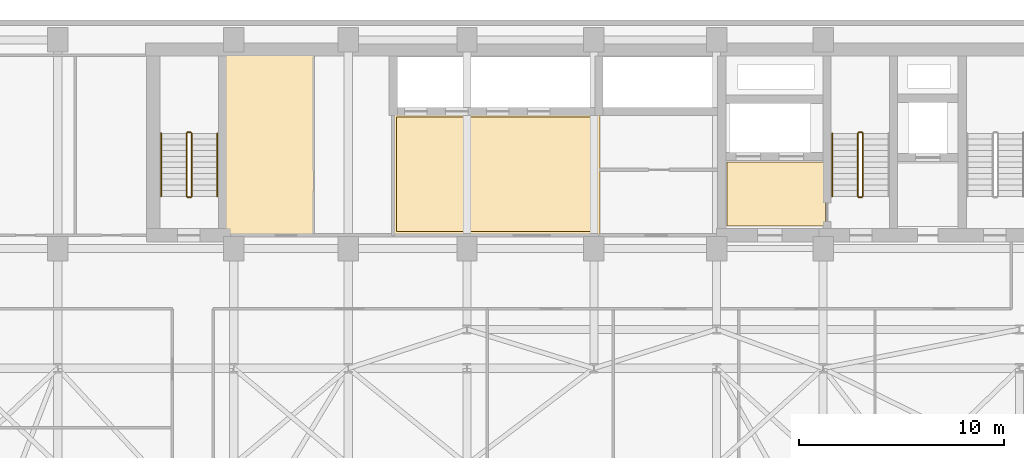
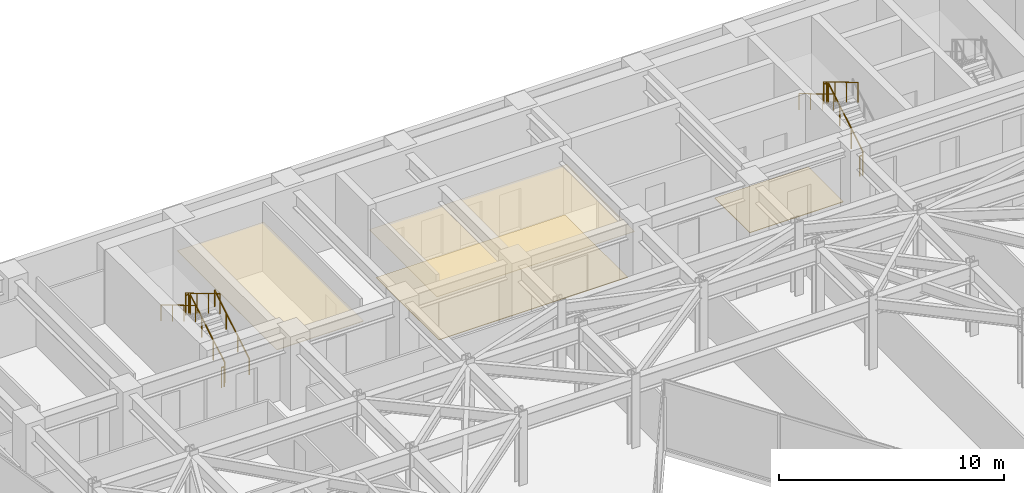
# One storey, part 25 of 26: 11 railings, 4 coverings.
"""IFC4 building model written with IfcOpenShell, lengths in metres."""

from ifc_helpers import new_model, si_unit, direction, frame, origin, origin_2d, place, context, subcontext, project, spatial, polyline, circle, outline, extrude, material, layer, layer_set, type_object, element, save


model = new_model("IFC4")

# Units and contexts
model_context = context("Model", 3, precision=1e-05, world=origin(), true_north=direction((0.0, 1.0)))
body_context = subcontext(model_context, "Body", "Model", "MODEL_VIEW")
ifc_project = project(units=[si_unit("LENGTHUNIT", "METRE"), si_unit("AREAUNIT", "SQUARE_METRE"), si_unit("VOLUMEUNIT", "CUBIC_METRE"), si_unit("PLANEANGLEUNIT", "RADIAN"), si_unit("MASSUNIT", "GRAM", prefix="KILO")], contexts=[model_context])

# Site, building, storey
site_placement = place(None, origin())
site = spatial("IfcSite", under=ifc_project, at=site_placement, CompositionType="ELEMENT")
building_placement = place(site_placement, origin())
building = spatial("IfcBuilding", under=site, at=building_placement, Name="Kravanh Interchange Tower", CompositionType="ELEMENT")
storey_placement = place(building_placement, frame((0.0, 0.0, 140.0)))
storey = spatial("IfcBuildingStorey", under=building, at=storey_placement, Name="L33", CompositionType="ELEMENT", Elevation=140.0)

# Coverings
ifc_material_1 = material(Name="Cementitious Terrazzo Tile")
ifc_layer_1 = layer(ifc_material_1, 0.030029296875)
ifc_layer_set_1 = layer_set([ifc_layer_1], Name="Honed Terrazzo Lobby Flooring 30mm")
covering_type_1 = type_object("IfcCoveringType", Name="Honed Terrazzo Lobby Flooring 30mm", PredefinedType="FLOORING", material=ifc_layer_set_1)
covering_1_placement = place(storey_placement, origin())
element("IfcCovering", 1, at=covering_1_placement, inside=storey, type_object=covering_type_1, Name="L33 Firefighting Lobby Floor Finish", PredefinedType="FLOORING", context=body_context, shape_type="SweptSolid", body=[
    extrude(outline(polyline([(56.1201171875, 38.4599609375), (51.300048828125, 38.4599609375), (51.300048828125, 41.580078125), (56.1201171875, 41.580078125), (56.1201171875, 38.4599609375)])), origin(), (0.0, 0.0, 1.0), 0.030029296875),
])
covering_2_placement = place(storey_placement, origin())
element("IfcCovering", 2, at=covering_2_placement, inside=storey, type_object=covering_type_1, Name="L33 Mid-Rise Lift Lobby Floor Finish", PredefinedType="FLOORING", context=body_context, shape_type="SweptSolid", body=[
    extrude(outline(polyline([(35.159912109375, 43.77001953125), (44.8701171875, 43.77001953125), (44.8701171875, 38.179931640625), (35.159912109375, 38.179931640625), (35.159912109375, 43.77001953125)])), origin(), (0.0, 0.0, 1.0), 0.030029296875),
])
ifc_material_2 = material(Name="Anodised Bronze Aluminium Acoustic Baffle", Category="aluminium")
ifc_layer_2 = layer(ifc_material_2, 0.034912109375)
ifc_layer_set_2 = layer_set([ifc_layer_2], Name="Linear Bronze Baffle Feature Ceiling 35mm")
covering_type_2 = type_object("IfcCoveringType", Name="Linear Bronze Baffle Feature Ceiling 35mm", PredefinedType="CEILING", material=ifc_layer_set_2)
covering_3_placement = place(storey_placement, frame((0.0, 0.0, 2.550048828125)))
element("IfcCovering", 3, at=covering_3_placement, inside=storey, type_object=covering_type_2, Name="L33 Regional IT Server Suite Suspended Ceiling", PredefinedType="CEILING", context=body_context, shape_type="SweptSolid", body=[
    extrude(outline(polyline([(31.159912109375, 37.9599609375), (26.7099609375, 37.9599609375), (26.7099609375, 46.840087890625), (31.159912109375, 46.840087890625), (31.159912109375, 37.9599609375)])), origin(), (0.0, 0.0, 1.0), 0.034912109375),
])
ifc_material_3 = material(Name="Acoustic Mineral Fibre Tile on Aluminium Grid", Category="aluminium")
ifc_layer_3 = layer(ifc_material_3, 0.02490234375)
ifc_layer_set_3 = layer_set([ifc_layer_3], Name="Perforated Acoustic Mineral Ceiling 25mm")
covering_type_3 = type_object("IfcCoveringType", Name="Perforated Acoustic Mineral Ceiling 25mm", PredefinedType="CEILING", material=ifc_layer_set_3)
covering_4_placement = place(storey_placement, frame((0.0, 0.0, 2.550048828125)))
element("IfcCovering", 4, at=covering_4_placement, inside=storey, type_object=covering_type_3, Name="L33 Mid-Rise Lift Lobby Suspended Ceiling", PredefinedType="CEILING", context=body_context, shape_type="SweptSolid", body=[
    extrude(outline(polyline([(45.090087890625, 37.9599609375), (34.93994140625, 37.9599609375), (34.93994140625, 43.989990234375), (45.090087890625, 43.989990234375), (45.090087890625, 37.9599609375)])), origin(), (0.0, 0.0, 1.0), 0.02490234375),
])

# Railings
ifc_material_4 = material(Name="Structural Steel S355", Category="steel")
ifc_layer_4 = layer(ifc_material_4, 0.050048828125)
ifc_layer_set_4 = layer_set([ifc_layer_4], Name="Stair Well Guardrail Structural Steel S355 1100mm")
railing_type_1 = type_object("IfcRailingType", Name="Stair Well Guardrail Structural Steel S355 1100mm", PredefinedType="GUARDRAIL", material=ifc_layer_set_4)
railing_1_placement = place(storey_placement, frame((57.949951171875, 39.89990234375, 0.166748046875)))
element("IfcRailing", 5, at=railing_1_placement, inside=storey, type_object=railing_type_1, Name="L33 ST2 stair guard 1", PredefinedType="GUARDRAIL", context=body_context, shape_type="SweptSolid", body=[
    extrude(circle(Radius=0.02392578125, at=origin_2d()), frame((0.0, 0.0, 1.076171875), z_axis=(0.0, 0.859308565015, 0.511457515432), x_axis=(-1.0, 0.0, 0.0)), (0.0, 0.0, 1.0), 3.58447265625),
    extrude(circle(Radius=0.02099609375, at=origin_2d()), origin(), (0.0, 0.0, 1.0), 1.052001953125),
    extrude(circle(Radius=0.02099609375, at=origin_2d()), frame((0.0, 1.026611328125, 0.611083984375)), (0.0, 0.0, 1.0), 1.052001953125),
    extrude(circle(Radius=0.02099609375, at=origin_2d()), frame((0.0, 2.053466796875, 1.22216796875)), (0.0, 0.0, 1.0), 1.052001953125),
    extrude(circle(Radius=0.02099609375, at=origin_2d()), frame((0.0, 3.080078125, 1.833251953125)), (0.0, 0.0, 1.0), 1.052001953125),
])
railing_2_placement = place(storey_placement, frame((57.89990234375, 43.030029296875, 2.0)))
element("IfcRailing", 6, at=railing_2_placement, inside=storey, type_object=railing_type_1, Name="L33 ST2 stair guard 2", PredefinedType="GUARDRAIL", context=body_context, shape_type="SweptSolid", body=[
    extrude(circle(Radius=0.02392578125, at=origin_2d()), frame((0.0, 0.0, 1.076171875), z_axis=(-1.0, 0.0, 0.0), x_axis=(0.0, -1.0, 0.0)), (0.0, 0.0, 1.0), 0.14990234375),
    extrude(circle(Radius=0.02099609375, at=origin_2d()), origin(), (0.0, 0.0, 1.0), 1.052001953125),
    extrude(circle(Radius=0.02099609375, at=origin_2d()), frame((-0.14990234375, 0.0, 0.0)), (0.0, 0.0, 1.0), 1.052001953125),
])
railing_3_placement = place(storey_placement, frame((57.699951171875, 42.97998046875, 2.166748046875)))
element("IfcRailing", 7, at=railing_3_placement, inside=storey, type_object=railing_type_1, Name="L33 ST2 stair guard 3", PredefinedType="GUARDRAIL", context=body_context, shape_type="SweptSolid", body=[
    extrude(circle(Radius=0.02392578125, at=origin_2d()), frame((0.0, 0.0, 1.076171875), z_axis=(0.0, -0.859308565015, 0.511457515432), x_axis=(1.0, 0.0, 0.0)), (0.0, 0.0, 1.0), 3.58447265625),
    extrude(circle(Radius=0.02099609375, at=origin_2d()), origin(), (0.0, 0.0, 1.0), 1.052001953125),
    extrude(circle(Radius=0.02099609375, at=origin_2d()), frame((0.0, -1.026611328125, 0.611083984375)), (0.0, 0.0, 1.0), 1.052001953125),
    extrude(circle(Radius=0.02099609375, at=origin_2d()), frame((0.0, -2.053466796875, 1.22216796875)), (0.0, 0.0, 1.0), 1.052001953125),
    extrude(circle(Radius=0.02099609375, at=origin_2d()), frame((0.0, -3.080078125, 1.833251953125)), (0.0, 0.0, 1.0), 1.052001953125),
])
railing_4_placement = place(storey_placement, frame((57.89990234375, 39.85009765625, 0.0)))
element("IfcRailing", 8, at=railing_4_placement, inside=storey, type_object=railing_type_1, Name="L33 ST2 stair guard 4", PredefinedType="GUARDRAIL", context=body_context, shape_type="SweptSolid", body=[
    extrude(circle(Radius=0.02392578125, at=origin_2d()), frame((0.0, 0.0, 1.076171875), z_axis=(-1.0, 0.0, 0.0), x_axis=(0.0, -1.0, 0.0)), (0.0, 0.0, 1.0), 0.14990234375),
    extrude(circle(Radius=0.02099609375, at=origin_2d()), origin(), (0.0, 0.0, 1.0), 1.052001953125),
    extrude(circle(Radius=0.02099609375, at=origin_2d()), frame((-0.14990234375, 0.0, 0.0)), (0.0, 0.0, 1.0), 1.052001953125),
])
railing_5_placement = place(storey_placement, frame((25.14990234375, 39.89990234375, 0.166748046875)))
element("IfcRailing", 9, at=railing_5_placement, inside=storey, type_object=railing_type_1, Name="L33 ST3 stair guard 1", PredefinedType="GUARDRAIL", context=body_context, shape_type="SweptSolid", body=[
    extrude(circle(Radius=0.02392578125, at=origin_2d()), frame((0.0, 0.0, 1.076171875), z_axis=(0.0, 0.859308565015, 0.511457515432), x_axis=(-1.0, 0.0, 0.0)), (0.0, 0.0, 1.0), 3.58447265625),
    extrude(circle(Radius=0.02099609375, at=origin_2d()), origin(), (0.0, 0.0, 1.0), 1.052001953125),
    extrude(circle(Radius=0.02099609375, at=origin_2d()), frame((0.0, 1.026611328125, 0.611083984375)), (0.0, 0.0, 1.0), 1.052001953125),
    extrude(circle(Radius=0.02099609375, at=origin_2d()), frame((0.0, 2.053466796875, 1.22216796875)), (0.0, 0.0, 1.0), 1.052001953125),
    extrude(circle(Radius=0.02099609375, at=origin_2d()), frame((0.0, 3.080078125, 1.833251953125)), (0.0, 0.0, 1.0), 1.052001953125),
])
railing_6_placement = place(storey_placement, frame((25.10009765625, 43.030029296875, 2.0)))
element("IfcRailing", 10, at=railing_6_placement, inside=storey, type_object=railing_type_1, Name="L33 ST3 stair guard 2", PredefinedType="GUARDRAIL", context=body_context, shape_type="SweptSolid", body=[
    extrude(circle(Radius=0.02392578125, at=origin_2d()), frame((0.0, 0.0, 1.076171875), z_axis=(-1.0, 0.0, 0.0), x_axis=(0.0, -1.0, 0.0)), (0.0, 0.0, 1.0), 0.150146484375),
    extrude(circle(Radius=0.02099609375, at=origin_2d()), origin(), (0.0, 0.0, 1.0), 1.052001953125),
    extrude(circle(Radius=0.02099609375, at=origin_2d()), frame((-0.150146484375, 0.0, 0.0)), (0.0, 0.0, 1.0), 1.052001953125),
])
railing_7_placement = place(storey_placement, frame((24.89990234375, 42.97998046875, 2.166748046875)))
element("IfcRailing", 11, at=railing_7_placement, inside=storey, type_object=railing_type_1, Name="L33 ST3 stair guard 3", PredefinedType="GUARDRAIL", context=body_context, shape_type="SweptSolid", body=[
    extrude(circle(Radius=0.02392578125, at=origin_2d()), frame((0.0, 0.0, 1.076171875), z_axis=(0.0, -0.859308565015, 0.511457515432), x_axis=(1.0, 0.0, 0.0)), (0.0, 0.0, 1.0), 3.58447265625),
    extrude(circle(Radius=0.02099609375, at=origin_2d()), origin(), (0.0, 0.0, 1.0), 1.052001953125),
    extrude(circle(Radius=0.02099609375, at=origin_2d()), frame((0.0, -1.026611328125, 0.611083984375)), (0.0, 0.0, 1.0), 1.052001953125),
    extrude(circle(Radius=0.02099609375, at=origin_2d()), frame((0.0, -2.053466796875, 1.22216796875)), (0.0, 0.0, 1.0), 1.052001953125),
    extrude(circle(Radius=0.02099609375, at=origin_2d()), frame((0.0, -3.080078125, 1.833251953125)), (0.0, 0.0, 1.0), 1.052001953125),
])
railing_8_placement = place(storey_placement, frame((25.10009765625, 39.85009765625, 0.0)))
element("IfcRailing", 12, at=railing_8_placement, inside=storey, type_object=railing_type_1, Name="L33 ST3 stair guard 4", PredefinedType="GUARDRAIL", context=body_context, shape_type="SweptSolid", body=[
    extrude(circle(Radius=0.02392578125, at=origin_2d()), frame((0.0, 0.0, 1.076171875), z_axis=(-1.0, 0.0, 0.0), x_axis=(0.0, -1.0, 0.0)), (0.0, 0.0, 1.0), 0.150146484375),
    extrude(circle(Radius=0.02099609375, at=origin_2d()), origin(), (0.0, 0.0, 1.0), 1.052001953125),
    extrude(circle(Radius=0.02099609375, at=origin_2d()), frame((-0.150146484375, 0.0, 0.0)), (0.0, 0.0, 1.0), 1.052001953125),
])
ifc_material_5 = material(Name="Stainless Steel 304", Category="steel")
ifc_layer_5 = layer(ifc_material_5, 0.044921875)
ifc_layer_set_5 = layer_set([ifc_layer_5], Name="Tubular Stair Handrail Stainless 304 900mm")
railing_type_2 = type_object("IfcRailingType", Name="Tubular Stair Handrail Stainless 304 900mm", PredefinedType="HANDRAIL", material=ifc_layer_set_5)
railing_9_placement = place(storey_placement, frame((56.449951171875, 42.97998046875, 2.166748046875)))
element("IfcRailing", 13, at=railing_9_placement, inside=storey, type_object=railing_type_2, Name="L33 ST2 stair handrail 2", PredefinedType="HANDRAIL", context=body_context, shape_type="SweptSolid", body=[
    extrude(circle(Radius=0.02392578125, at=origin_2d()), frame((0.0, 0.0, 0.8759765625), z_axis=(0.0, -0.859308565015, 0.511457515432), x_axis=(1.0, 0.0, 0.0)), (0.0, 0.0, 1.0), 3.58447265625),
    extrude(circle(Radius=0.02099609375, at=origin_2d()), origin(), (0.0, 0.0, 1.0), 0.851806640625),
    extrude(circle(Radius=0.02099609375, at=origin_2d()), frame((0.0, -1.026611328125, 0.611083984375)), (0.0, 0.0, 1.0), 0.851806640625),
    extrude(circle(Radius=0.02099609375, at=origin_2d()), frame((0.0, -2.053466796875, 1.22216796875)), (0.0, 0.0, 1.0), 0.851806640625),
    extrude(circle(Radius=0.02099609375, at=origin_2d()), frame((0.0, -3.080078125, 1.833251953125)), (0.0, 0.0, 1.0), 0.851806640625),
])
railing_10_placement = place(storey_placement, frame((26.39990234375, 39.89990234375, 0.166748046875)))
element("IfcRailing", 14, at=railing_10_placement, inside=storey, type_object=railing_type_2, Name="L33 ST3 stair handrail 1", PredefinedType="HANDRAIL", context=body_context, shape_type="SweptSolid", body=[
    extrude(circle(Radius=0.02392578125, at=origin_2d()), frame((0.0, 0.0, 0.8759765625), z_axis=(0.0, 0.859308565015, 0.511457515432), x_axis=(-1.0, 0.0, 0.0)), (0.0, 0.0, 1.0), 3.58447265625),
    extrude(circle(Radius=0.02099609375, at=origin_2d()), origin(), (0.0, 0.0, 1.0), 0.851806640625),
    extrude(circle(Radius=0.02099609375, at=origin_2d()), frame((0.0, 1.026611328125, 0.611083984375)), (0.0, 0.0, 1.0), 0.851806640625),
    extrude(circle(Radius=0.02099609375, at=origin_2d()), frame((0.0, 2.053466796875, 1.22216796875)), (0.0, 0.0, 1.0), 0.851806640625),
    extrude(circle(Radius=0.02099609375, at=origin_2d()), frame((0.0, 3.080078125, 1.833251953125)), (0.0, 0.0, 1.0), 0.851806640625),
])
railing_11_placement = place(storey_placement, frame((23.64990234375, 42.97998046875, 2.166748046875)))
element("IfcRailing", 15, at=railing_11_placement, inside=storey, type_object=railing_type_2, Name="L33 ST3 stair handrail 2", PredefinedType="HANDRAIL", context=body_context, shape_type="SweptSolid", body=[
    extrude(circle(Radius=0.02392578125, at=origin_2d()), frame((0.0, 0.0, 0.8759765625), z_axis=(0.0, -0.859308565015, 0.511457515432), x_axis=(1.0, 0.0, 0.0)), (0.0, 0.0, 1.0), 3.58447265625),
    extrude(circle(Radius=0.02099609375, at=origin_2d()), origin(), (0.0, 0.0, 1.0), 0.851806640625),
    extrude(circle(Radius=0.02099609375, at=origin_2d()), frame((0.0, -1.026611328125, 0.611083984375)), (0.0, 0.0, 1.0), 0.851806640625),
    extrude(circle(Radius=0.02099609375, at=origin_2d()), frame((0.0, -2.053466796875, 1.22216796875)), (0.0, 0.0, 1.0), 0.851806640625),
    extrude(circle(Radius=0.02099609375, at=origin_2d()), frame((0.0, -3.080078125, 1.833251953125)), (0.0, 0.0, 1.0), 0.851806640625),
])

save(model, "model.ifc")
